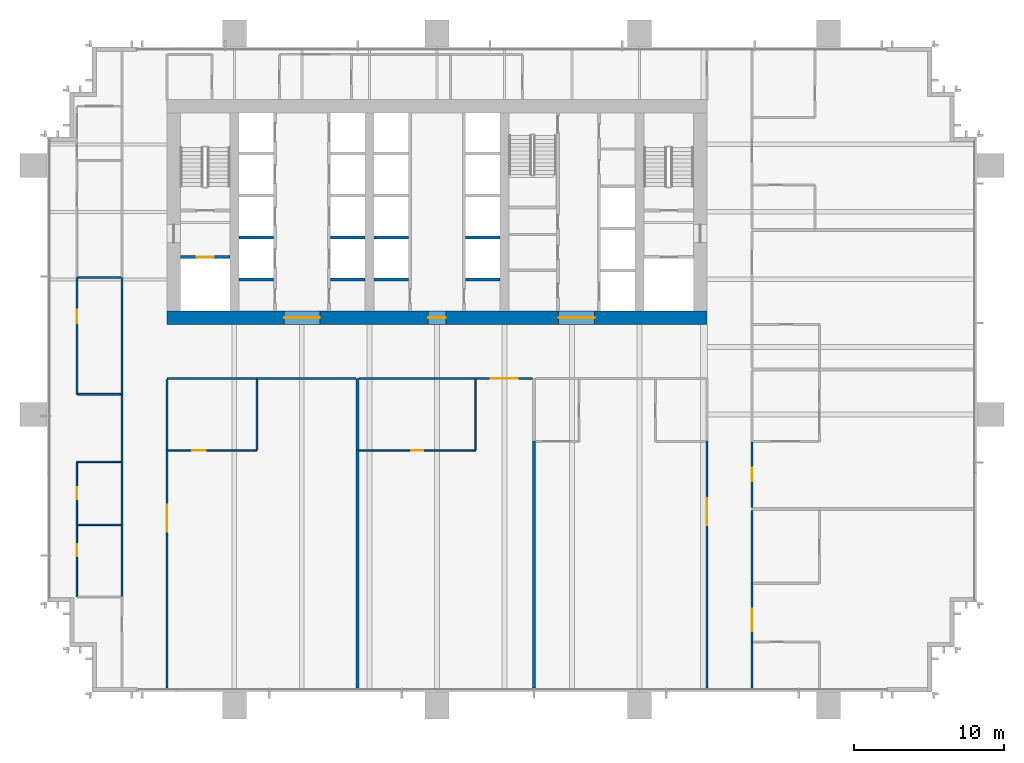
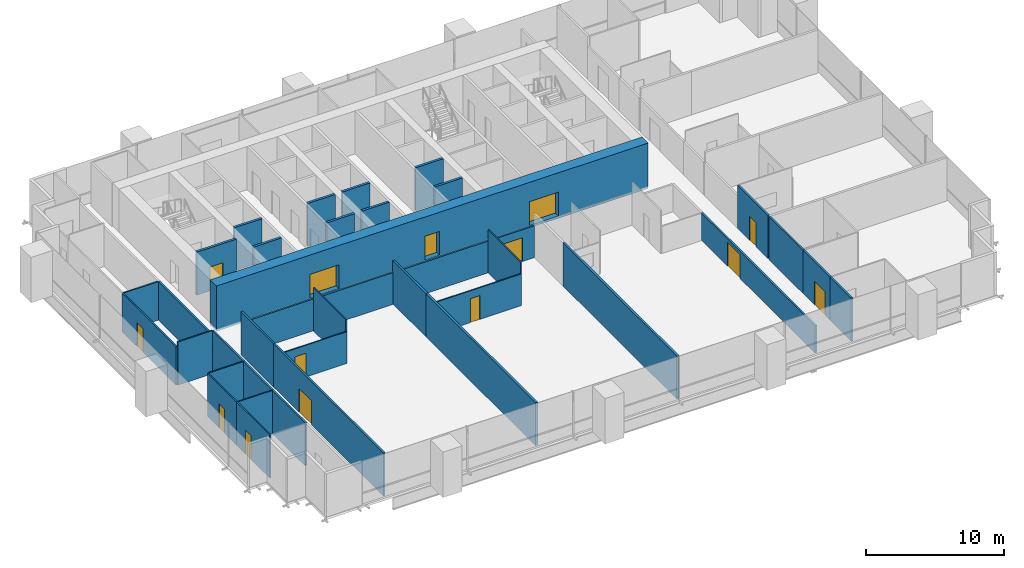
# One storey, part 12 of 17: 39 walls, 14 doors, 14 openings.
"""IFC4 building model written with IfcOpenShell, lengths in metres."""

from ifc_helpers import new_model, si_unit, direction, frame, frame_2d, origin, place, context, subcontext, project, spatial, rectangle, extrude, material, layer, layer_set, type_object, element, fill, save


model = new_model("IFC4")

# Units and contexts
model_context = context("Model", 3, precision=1e-05, world=origin(), true_north=direction((0.0, 1.0)))
body_context = subcontext(model_context, "Body", "Model", "MODEL_VIEW")
ifc_project = project(units=[si_unit("LENGTHUNIT", "METRE"), si_unit("AREAUNIT", "SQUARE_METRE"), si_unit("VOLUMEUNIT", "CUBIC_METRE"), si_unit("PLANEANGLEUNIT", "RADIAN"), si_unit("MASSUNIT", "GRAM", prefix="KILO")], contexts=[model_context])

# Site, building, storey
site_placement = place(None, origin())
site = spatial("IfcSite", under=ifc_project, at=site_placement, CompositionType="ELEMENT")
building_placement = place(site_placement, origin())
building = spatial("IfcBuilding", under=site, at=building_placement, Name="Rattan Terrace Tower", CompositionType="ELEMENT")
storey_placement = place(building_placement, frame((0.0, 0.0, 107.699951171875)))
storey = spatial("IfcBuildingStorey", under=building, at=storey_placement, Name="L24", CompositionType="ELEMENT", Elevation=107.699951171875)

# Wall, opening, door
ifc_material_1 = material(Name="Gypsum board partition")
ifc_layer_1 = layer(ifc_material_1, 0.199951171875)
ifc_layer_set_1 = layer_set([ifc_layer_1], Name="Core partition 200")
wall_type_1 = type_object("IfcWallType", Name="Core partition 200", PredefinedType="PARTITIONING", material=ifc_layer_set_1)
wall_1_placement = place(storey_placement, frame((-17.10009765625, -3.0, 0.0), z_axis=(0.0, 0.0, 1.0), x_axis=(1.0, 0.0, 0.0)))
wall_1 = element("IfcWall", 1, at=wall_1_placement, inside=storey, type_object=wall_type_1, Name="Fire-fighting lobby wall", PredefinedType="PARTITIONING", context=body_context, shape_type="SweptSolid", body=[
    extrude(rectangle(XDim=3.300048828125, YDim=0.199951171875, at=frame_2d((1.64990234375, 0.0))), origin(), (0.0, 0.0, 1.0), 3.800048828125),
])
opening_1_placement = place(wall_1_placement, frame((1.10009765625, 0.0, 0.0)))
opening_1 = element("IfcOpeningElement", 2, at=opening_1_placement, cuts=wall_1, Name="Opening L24-LD-FF1", PredefinedType="OPENING", context=body_context, shape_type="SweptSolid", body=[
    extrude(rectangle(XDim=1.10009765625, YDim=2.10009765625, at=frame_2d((0.550048828125, 1.050048828125))), frame((0.0, 0.110595703125, 0.0), z_axis=(0.0, -1.0, 0.0), x_axis=(1.0, 0.0, 0.0)), (0.0, 0.0, 1.0), 0.220947265625),
])
ifc_material_2 = material(Name="Brushed stainless landing door panel")
door_type_1 = type_object("IfcDoorType", Name="Core lift landing door 1100", OperationType="DOUBLE_DOOR_SLIDING", PredefinedType="DOOR", material=ifc_material_2)
door_1_placement = place(opening_1_placement, origin())
door_1 = element("IfcDoor", 3, at=door_1_placement, inside=storey, type_object=door_type_1, Name="Door L24-LD-FF1", OperationType="DOUBLE_DOOR_SLIDING", OverallHeight=2.10009765625, OverallWidth=1.10009765625, PredefinedType="DOOR", context=body_context, shape_type="SweptSolid", body=[
    extrude(rectangle(XDim=1.10009765625, YDim=2.10009765625, at=frame_2d((0.550048828125, 1.050048828125))), frame((0.0, 0.02490234375, 0.0), z_axis=(0.0, -1.0, 0.0), x_axis=(1.0, 0.0, 0.0)), (0.0, 0.0, 1.0), 0.050048828125),
])
fill(opening_1, door_1)

# Wall, openings, doors
ifc_material_3 = material(Name="Concrete C70/85", Category="concrete")
ifc_layer_2 = layer(ifc_material_3, 0.89990234375)
ifc_layer_set_2 = layer_set([ifc_layer_2], Name="Core ring wall 900 C70/85")
wall_type_2 = type_object("IfcWallType", Name="Core ring wall 900 C70/85", PredefinedType="SHEAR", material=ifc_layer_set_2)
wall_2_placement = place(storey_placement, frame((-18.0, -7.050048828125, -0.199951171875), z_axis=(0.0, 0.0, 1.0), x_axis=(1.0, 0.0, 0.0)))
wall_2 = element("IfcWall", 4, at=wall_2_placement, inside=storey, type_object=wall_type_2, Name="Rear core wall south", PredefinedType="SHEAR", context=body_context, shape_type="SweptSolid", body=[
    extrude(rectangle(XDim=36.0, YDim=0.89990234375, at=frame_2d((18.0, 0.0))), origin(), (0.0, 0.0, 1.0), 4.0),
])
opening_2_placement = place(wall_2_placement, frame((7.800048828125, 0.0, 0.199951171875)))
opening_2 = element("IfcOpeningElement", 5, at=opening_2_placement, cuts=wall_2, Name="Opening L24-D007", PredefinedType="OPENING", context=body_context, shape_type="SweptSolid", body=[
    extrude(rectangle(XDim=2.39990234375, YDim=2.10009765625, at=frame_2d((1.199951171875, 1.050048828125))), frame((0.0, 0.46044921875, 0.0), z_axis=(0.0, -1.0, 0.0), x_axis=(1.0, 0.0, 0.0)), (0.0, 0.0, 1.0), 0.9208984375),
])
opening_3_placement = place(wall_2_placement, frame((17.39990234375, 0.0, 0.199951171875)))
opening_3 = element("IfcOpeningElement", 6, at=opening_3_placement, cuts=wall_2, Name="Opening L24-D010", PredefinedType="OPENING", context=body_context, shape_type="SweptSolid", body=[
    extrude(rectangle(XDim=1.199951171875, YDim=2.10009765625, at=frame_2d((0.60009765625, 1.050048828125))), frame((0.0, 0.46044921875, 0.0), z_axis=(0.0, -1.0, 0.0), x_axis=(1.0, 0.0, 0.0)), (0.0, 0.0, 1.0), 0.9208984375),
])
opening_4_placement = place(wall_2_placement, frame((26.10009765625, 0.0, 0.199951171875)))
opening_4 = element("IfcOpeningElement", 7, at=opening_4_placement, cuts=wall_2, Name="Opening L24-D015", PredefinedType="OPENING", context=body_context, shape_type="SweptSolid", body=[
    extrude(rectangle(XDim=2.39990234375, YDim=2.10009765625, at=frame_2d((1.199951171875, 1.050048828125))), frame((0.0, 0.46044921875, 0.0), z_axis=(0.0, -1.0, 0.0), x_axis=(1.0, 0.0, 0.0)), (0.0, 0.0, 1.0), 0.9208984375),
])
ifc_material_4 = material(Name="Hollow-metal fire door leaf")
door_type_2 = type_object("IfcDoorType", Name="Core lift lobby door 2400", OperationType="NOTDEFINED", PredefinedType="DOOR", material=ifc_material_4)
door_2_placement = place(opening_2_placement, origin())
door_2 = element("IfcDoor", 8, at=door_2_placement, inside=storey, type_object=door_type_2, Name="Door L24-D007", OperationType="DOUBLE_DOOR_DOUBLE_SWING", OverallHeight=2.10009765625, OverallWidth=2.39990234375, PredefinedType="DOOR", context=body_context, shape_type="SweptSolid", body=[
    extrude(rectangle(XDim=2.39990234375, YDim=2.10009765625, at=frame_2d((1.199951171875, 1.050048828125))), frame((0.0, 0.02490234375, 0.0), z_axis=(0.0, -1.0, 0.0), x_axis=(1.0, 0.0, 0.0)), (0.0, 0.0, 1.0), 0.050048828125),
])
fill(opening_2, door_2)
door_3_placement = place(opening_4_placement, origin())
door_3 = element("IfcDoor", 9, at=door_3_placement, inside=storey, type_object=door_type_2, Name="Door L24-D015", OperationType="DOUBLE_DOOR_DOUBLE_SWING", OverallHeight=2.10009765625, OverallWidth=2.39990234375, PredefinedType="DOOR", context=body_context, shape_type="SweptSolid", body=[
    extrude(rectangle(XDim=2.39990234375, YDim=2.10009765625, at=frame_2d((1.199951171875, 1.050048828125))), frame((0.0, 0.02490234375, 0.0), z_axis=(0.0, -1.0, 0.0), x_axis=(1.0, 0.0, 0.0)), (0.0, 0.0, 1.0), 0.050048828125),
])
fill(opening_4, door_3)
ifc_material_5 = material(Name="Hollow-metal fire door leaf")
door_type_3 = type_object("IfcDoorType", Name="Core riser door 1200", OperationType="NOTDEFINED", PredefinedType="DOOR", material=ifc_material_5)
door_4_placement = place(opening_3_placement, origin())
door_4 = element("IfcDoor", 10, at=door_4_placement, inside=storey, type_object=door_type_3, Name="Door L24-D010", OperationType="SINGLE_SWING_RIGHT", OverallHeight=2.10009765625, OverallWidth=1.199951171875, PredefinedType="DOOR", context=body_context, shape_type="SweptSolid", body=[
    extrude(rectangle(XDim=1.199951171875, YDim=2.10009765625, at=frame_2d((0.60009765625, 1.050048828125))), frame((0.0, 0.02490234375, 0.0), z_axis=(0.0, -1.0, 0.0), x_axis=(1.0, 0.0, 0.0)), (0.0, 0.0, 1.0), 0.050048828125),
])
fill(opening_3, door_4)

# Walls
ifc_material_6 = material(Name="Double steel stud acoustic partition, gypsum board, mineral wool, fire rated", Category="steel")
ifc_layer_3 = layer(ifc_material_6, 0.179931640625)
ifc_layer_set_3 = layer_set([ifc_layer_3], Name="Floors Acoustic Party Wall 180")
wall_type_3 = type_object("IfcWallType", Name="Floors Acoustic Party Wall 180", PredefinedType="PARTITIONING", material=ifc_layer_set_3)
wall_3_placement = place(storey_placement, frame((-5.2939453125, -15.8798828125, 0.0), z_axis=(0.0, 0.0, 1.0), x_axis=(0.0, -1.0, 0.0)))
element("IfcWall", 11, at=wall_3_placement, inside=storey, type_object=wall_type_3, Name="pt-L24-073", PredefinedType="PARTITIONING", context=body_context, shape_type="SweptSolid", body=[
    extrude(rectangle(XDim=15.860107421875, YDim=0.179931640625, at=frame_2d((7.93017578125, 0.0))), origin(), (0.0, 0.0, 1.0), 3.800048828125),
])
wall_4_placement = place(storey_placement, frame((-5.2939453125, -11.10009765625, 0.0), z_axis=(0.0, 0.0, 1.0), x_axis=(0.0, -1.0, 0.0)))
element("IfcWall", 12, at=wall_4_placement, inside=storey, type_object=wall_type_3, Name="pt-L24-074", PredefinedType="PARTITIONING", context=body_context, shape_type="SweptSolid", body=[
    extrude(rectangle(XDim=4.77978515625, YDim=0.179931640625, at=frame_2d((2.389892578125, 0.0))), origin(), (0.0, 0.0, 1.0), 3.800048828125),
])
wall_5_placement = place(storey_placement, frame((6.470947265625, -15.280029296875, 0.0), z_axis=(0.0, 0.0, 1.0), x_axis=(0.0, -1.0, 0.0)))
element("IfcWall", 13, at=wall_5_placement, inside=storey, type_object=wall_type_3, Name="pt-L24-077", PredefinedType="PARTITIONING", context=body_context, shape_type="SweptSolid", body=[
    extrude(rectangle(XDim=16.4599609375, YDim=0.179931640625, at=frame_2d((8.22998046875, 0.0))), origin(), (0.0, 0.0, 1.0), 3.800048828125),
])

# Wall, opening, door
ifc_material_7 = material(Name="Gypsum board partition on steel studs", Category="steel")
ifc_layer_4 = layer(ifc_material_7, 0.10009765625)
ifc_layer_set_4 = layer_set([ifc_layer_4], Name="Floors Partition 100")
wall_type_4 = type_object("IfcWallType", Name="Floors Partition 100", PredefinedType="PARTITIONING", material=ifc_layer_set_4)
wall_6_placement = place(storey_placement, frame((-24.0, -20.840087890625, 0.0), z_axis=(0.0, 0.0, 1.0), x_axis=(0.0, -1.0, 0.0)))
wall_6 = element("IfcWall", 14, at=wall_6_placement, inside=storey, type_object=wall_type_4, Name="pt-L24-032", PredefinedType="PARTITIONING", context=body_context, shape_type="SweptSolid", body=[
    extrude(rectangle(XDim=4.81982421875, YDim=0.10009765625, at=frame_2d((2.409912109375, 0.0))), origin(), (0.0, 0.0, 1.0), 3.800048828125),
])
opening_5_placement = place(wall_6_placement, frame((1.305908203125, 0.0, 0.0)))
opening_5 = element("IfcOpeningElement", 15, at=opening_5_placement, cuts=wall_6, Name="Opening L24-D101", PredefinedType="OPENING", context=body_context, shape_type="SweptSolid", body=[
    extrude(rectangle(XDim=0.800048828125, YDim=2.10009765625, at=frame_2d((0.39990234375, 1.050048828125))), frame((0.0, 0.060546875, 0.0), z_axis=(0.0, -1.0, 0.0), x_axis=(1.0, 0.0, 0.0)), (0.0, 0.0, 1.0), 0.12109375),
])
ifc_material_8 = material(Name="Solid core timber door, painted", Category="wood")
door_type_4 = type_object("IfcDoorType", Name="Floors Store Door 800x2100", OperationType="NOTDEFINED", PredefinedType="DOOR", material=ifc_material_8)
door_5_placement = place(opening_5_placement, origin())
door_5 = element("IfcDoor", 16, at=door_5_placement, inside=storey, type_object=door_type_4, Name="d-L24-101", OperationType="SINGLE_SWING_LEFT", OverallHeight=2.10009765625, OverallWidth=0.800048828125, PredefinedType="DOOR", context=body_context, shape_type="SweptSolid", body=[
    extrude(rectangle(XDim=0.800048828125, YDim=2.10009765625, at=frame_2d((0.39990234375, 1.050048828125))), frame((0.0, 0.02490234375, 0.0), z_axis=(0.0, -1.0, 0.0), x_axis=(1.0, 0.0, 0.0)), (0.0, 0.0, 1.0), 0.050048828125),
])
fill(opening_5, door_5)

wall_7_placement = place(storey_placement, frame((-24.0, -16.659912109375, 0.0), z_axis=(0.0, 0.0, 1.0), x_axis=(0.0, -1.0, 0.0)))
wall_7 = element("IfcWall", 17, at=wall_7_placement, inside=storey, type_object=wall_type_4, Name="pt-L24-034", PredefinedType="PARTITIONING", context=body_context, shape_type="SweptSolid", body=[
    extrude(rectangle(XDim=4.18017578125, YDim=0.10009765625, at=frame_2d((2.090087890625, 0.0))), origin(), (0.0, 0.0, 1.0), 3.800048828125),
])
opening_6_placement = place(wall_7_placement, frame((1.68994140625, 0.0, 0.0)))
opening_6 = element("IfcOpeningElement", 18, at=opening_6_placement, cuts=wall_7, Name="Opening L24-D102", PredefinedType="OPENING", context=body_context, shape_type="SweptSolid", body=[
    extrude(rectangle(XDim=0.800048828125, YDim=2.10009765625, at=frame_2d((0.39990234375, 1.050048828125))), frame((0.0, 0.060546875, 0.0), z_axis=(0.0, -1.0, 0.0), x_axis=(1.0, 0.0, 0.0)), (0.0, 0.0, 1.0), 0.12109375),
])
door_6_placement = place(opening_6_placement, origin())
door_6 = element("IfcDoor", 19, at=door_6_placement, inside=storey, type_object=door_type_4, Name="d-L24-102", OperationType="SINGLE_SWING_LEFT", OverallHeight=2.10009765625, OverallWidth=0.800048828125, PredefinedType="DOOR", context=body_context, shape_type="SweptSolid", body=[
    extrude(rectangle(XDim=0.800048828125, YDim=2.10009765625, at=frame_2d((0.39990234375, 1.050048828125))), frame((0.0, 0.02490234375, 0.0), z_axis=(0.0, -1.0, 0.0), x_axis=(1.0, 0.0, 0.0)), (0.0, 0.0, 1.0), 0.050048828125),
])
fill(opening_6, door_6)

# Walls
for number, where, z_axis, x_axis, name in (
    (20, (-21.074951171875, -16.659912109375, 0.0), (0.0, 0.0, 1.0), (-1.0, 0.0, 0.0), "pt-L24-035"),
    (21, (-23.949951171875, -20.860107421875, 0.0), (0.0, 0.0, 1.0), (1.0, 0.0, 0.0), "pt-L24-041"),
):
    element("IfcWall", number, at=place(storey_placement, frame(where, z_axis=z_axis, x_axis=x_axis)), inside=storey, type_object=wall_type_4, Name=name, PredefinedType="PARTITIONING", context=body_context, shape_type="SweptSolid", body=[
        extrude(rectangle(XDim=2.875, YDim=0.10009765625, at=frame_2d((1.4375, 0.0))), origin(), (0.0, 0.0, 1.0), 3.800048828125),
    ])

# Wall, opening, door
wall_8_placement = place(storey_placement, frame((-17.925048828125, -15.89990234375, 0.0), z_axis=(0.0, 0.0, 1.0), x_axis=(1.0, 0.0, 0.0)))
wall_8 = element("IfcWall", 22, at=wall_8_placement, inside=storey, type_object=wall_type_4, Name="pt-L24-071", PredefinedType="PARTITIONING", context=body_context, shape_type="SweptSolid", body=[
    extrude(rectangle(XDim=5.925048828125, YDim=0.10009765625, at=frame_2d((2.96240234375, 0.0))), origin(), (0.0, 0.0, 1.0), 2.800048828125),
])
opening_7_placement = place(wall_8_placement, frame((1.60791015625, 0.0, 0.0)))
opening_7 = element("IfcOpeningElement", 23, at=opening_7_placement, cuts=wall_8, Name="Opening L24-D122", PredefinedType="OPENING", context=body_context, shape_type="SweptSolid", body=[
    extrude(rectangle(XDim=0.89990234375, YDim=2.10009765625, at=frame_2d((0.449951171875, 1.050048828125))), frame((0.0, 0.060546875, 0.0), z_axis=(0.0, -1.0, 0.0), x_axis=(1.0, 0.0, 0.0)), (0.0, 0.0, 1.0), 0.12109375),
])
ifc_material_9 = material(Name="Solid core timber door, painted", Category="wood")
door_type_5 = type_object("IfcDoorType", Name="Floors Door 900x2100", OperationType="NOTDEFINED", PredefinedType="DOOR", material=ifc_material_9)
door_7_placement = place(opening_7_placement, origin())
door_7 = element("IfcDoor", 24, at=door_7_placement, inside=storey, type_object=door_type_5, Name="d-L24-122", OperationType="SINGLE_SWING_LEFT", OverallHeight=2.10009765625, OverallWidth=0.89990234375, PredefinedType="DOOR", context=body_context, shape_type="SweptSolid", body=[
    extrude(rectangle(XDim=0.89990234375, YDim=2.10009765625, at=frame_2d((0.449951171875, 1.050048828125))), frame((0.0, 0.02490234375, 0.0), z_axis=(0.0, -1.0, 0.0), x_axis=(1.0, 0.0, 0.0)), (0.0, 0.0, 1.0), 0.050048828125),
])
fill(opening_7, door_7)

# Wall
wall_9_placement = place(storey_placement, frame((-12.0, -15.85009765625, 0.0), z_axis=(0.0, 0.0, 1.0), x_axis=(0.0, 1.0, 0.0)))
element("IfcWall", 25, at=wall_9_placement, inside=storey, type_object=wall_type_4, Name="pt-L24-072", PredefinedType="PARTITIONING", context=body_context, shape_type="SweptSolid", body=[
    extrude(rectangle(XDim=4.675048828125, YDim=0.10009765625, at=frame_2d((2.33740234375, 0.0))), origin(), (0.0, 0.0, 1.0), 3.800048828125),
])

# Wall, opening, door
wall_10_placement = place(storey_placement, frame((-5.2041015625, -15.89990234375, 0.0), z_axis=(0.0, 0.0, 1.0), x_axis=(1.0, 0.0, 0.0)))
wall_10 = element("IfcWall", 26, at=wall_10_placement, inside=storey, type_object=wall_type_4, Name="pt-L24-075", PredefinedType="PARTITIONING", context=body_context, shape_type="SweptSolid", body=[
    extrude(rectangle(XDim=7.775146484375, YDim=0.10009765625, at=frame_2d((3.8876953125, 0.0))), origin(), (0.0, 0.0, 1.0), 2.800048828125),
])
opening_8_placement = place(wall_10_placement, frame((3.488037109375, 0.0, 0.0)))
opening_8 = element("IfcOpeningElement", 27, at=opening_8_placement, cuts=wall_10, Name="Opening L24-D124", PredefinedType="OPENING", context=body_context, shape_type="SweptSolid", body=[
    extrude(rectangle(XDim=0.800048828125, YDim=2.10009765625, at=frame_2d((0.39990234375, 1.050048828125))), frame((0.0, 0.060546875, 0.0), z_axis=(0.0, -1.0, 0.0), x_axis=(1.0, 0.0, 0.0)), (0.0, 0.0, 1.0), 0.12109375),
])
door_8_placement = place(opening_8_placement, origin())
door_8 = element("IfcDoor", 28, at=door_8_placement, inside=storey, type_object=door_type_4, Name="d-L24-124", OperationType="SINGLE_SWING_LEFT", OverallHeight=2.10009765625, OverallWidth=0.800048828125, PredefinedType="DOOR", context=body_context, shape_type="SweptSolid", body=[
    extrude(rectangle(XDim=0.800048828125, YDim=2.10009765625, at=frame_2d((0.39990234375, 1.050048828125))), frame((0.0, 0.02490234375, 0.0), z_axis=(0.0, -1.0, 0.0), x_axis=(1.0, 0.0, 0.0)), (0.0, 0.0, 1.0), 0.050048828125),
])
fill(opening_8, door_8)

# Walls
wall_11_placement = place(storey_placement, frame((2.571044921875, -15.85009765625, 0.0), z_axis=(0.0, 0.0, 1.0), x_axis=(0.0, 1.0, 0.0)))
element("IfcWall", 29, at=wall_11_placement, inside=storey, type_object=wall_type_4, Name="pt-L24-076", PredefinedType="PARTITIONING", context=body_context, shape_type="SweptSolid", body=[
    extrude(rectangle(XDim=4.675048828125, YDim=0.10009765625, at=frame_2d((2.33740234375, 0.0))), origin(), (0.0, 0.0, 1.0), 3.800048828125),
])
ifc_material_10 = material(Name="Gypsum board partition on steel studs, fire rated", Category="steel")
ifc_layer_5 = layer(ifc_material_10, 0.14990234375)
ifc_layer_set_5 = layer_set([ifc_layer_5], Name="Floors Tenancy Wall 150")
wall_type_5 = type_object("IfcWallType", Name="Floors Tenancy Wall 150", PredefinedType="PARTITIONING", material=ifc_layer_set_5)
wall_12_placement = place(storey_placement, frame((-21.0, -16.679931640625, 0.0), z_axis=(0.0, 0.0, 1.0), x_axis=(0.0, 1.0, 0.0)))
element("IfcWall", 30, at=wall_12_placement, inside=storey, type_object=wall_type_5, Name="pt-L24-003", PredefinedType="PARTITIONING", context=body_context, shape_type="SweptSolid", body=[
    extrude(rectangle(XDim=4.5, YDim=0.14990234375, at=frame_2d((2.25, 0.0))), origin(), (0.0, 0.0, 1.0), 3.800048828125),
])
wall_13_placement = place(storey_placement, frame((-21.0, -25.639892578125, 0.0), z_axis=(0.0, 0.0, 1.0), x_axis=(0.0, 1.0, 0.0)))
element("IfcWall", 31, at=wall_13_placement, inside=storey, type_object=wall_type_5, Name="pt-L24-004", PredefinedType="PARTITIONING", context=body_context, shape_type="SweptSolid", body=[
    extrude(rectangle(XDim=4.7998046875, YDim=0.14990234375, at=frame_2d((2.39990234375, 0.0))), origin(), (0.0, 0.0, 1.0), 3.800048828125),
])
wall_14_placement = place(storey_placement, frame((-21.0, -20.840087890625, 0.0), z_axis=(0.0, 0.0, 1.0), x_axis=(0.0, 1.0, 0.0)))
element("IfcWall", 32, at=wall_14_placement, inside=storey, type_object=wall_type_5, Name="pt-L24-005", PredefinedType="PARTITIONING", context=body_context, shape_type="SweptSolid", body=[
    extrude(rectangle(XDim=4.16015625, YDim=0.14990234375, at=frame_2d((2.080078125, 0.0))), origin(), (0.0, 0.0, 1.0), 3.800048828125),
])
wall_15_placement = place(storey_placement, frame((-21.0, -12.179931640625, 0.0), z_axis=(0.0, 0.0, 1.0), x_axis=(0.0, 1.0, 0.0)))
element("IfcWall", 33, at=wall_15_placement, inside=storey, type_object=wall_type_5, Name="pt-L24-006", PredefinedType="PARTITIONING", context=body_context, shape_type="SweptSolid", body=[
    extrude(rectangle(XDim=7.800048828125, YDim=0.14990234375, at=frame_2d((3.89990234375, 0.0))), origin(), (0.0, 0.0, 1.0), 3.400146484375),
])

# Wall, opening, door
wall_16_placement = place(storey_placement, frame((21.0, -24.780029296875, 0.0), z_axis=(0.0, 0.0, 1.0), x_axis=(0.0, -1.0, 0.0)))
wall_16 = element("IfcWall", 34, at=wall_16_placement, inside=storey, type_object=wall_type_5, Name="pt-L24-009", PredefinedType="PARTITIONING", context=body_context, shape_type="SweptSolid", body=[
    extrude(rectangle(XDim=3.89990234375, YDim=0.14990234375, at=frame_2d((1.949951171875, 0.0))), origin(), (0.0, 0.0, 1.0), 3.800048828125),
])
opening_9_placement = place(wall_16_placement, frame((1.675048828125, 0.0, 0.0)))
opening_9 = element("IfcOpeningElement", 35, at=opening_9_placement, cuts=wall_16, Name="Opening L24-D106", PredefinedType="OPENING", context=body_context, shape_type="SweptSolid", body=[
    extrude(rectangle(XDim=1.5, YDim=2.10009765625, at=frame_2d((0.75, 1.050048828125))), frame((0.0, 0.08544921875, 0.0), z_axis=(0.0, -1.0, 0.0), x_axis=(1.0, 0.0, 0.0)), (0.0, 0.0, 1.0), 0.1708984375),
])
ifc_material_11 = material(Name="Steel fire door set", Category="steel")
door_type_6 = type_object("IfcDoorType", Name="Floors Unit Door Pair FD30S 1500x2100", OperationType="NOTDEFINED", PredefinedType="DOOR", material=ifc_material_11)
door_9_placement = place(opening_9_placement, origin())
door_9 = element("IfcDoor", 36, at=door_9_placement, inside=storey, type_object=door_type_6, Name="d-L24-106", OperationType="DOUBLE_DOOR_SINGLE_SWING", OverallHeight=2.10009765625, OverallWidth=1.5, PredefinedType="DOOR", context=body_context, shape_type="SweptSolid", body=[
    extrude(rectangle(XDim=1.5, YDim=2.10009765625, at=frame_2d((0.75, 1.050048828125))), frame((0.0, 0.02490234375, 0.0), z_axis=(0.0, -1.0, 0.0), x_axis=(1.0, 0.0, 0.0)), (0.0, 0.0, 1.0), 0.050048828125),
])
fill(opening_9, door_9)

# Walls
wall_17_placement = place(storey_placement, frame((21.0, -28.679931640625, 0.0), z_axis=(0.0, 0.0, 1.0), x_axis=(0.0, -1.0, 0.0)))
element("IfcWall", 37, at=wall_17_placement, inside=storey, type_object=wall_type_5, Name="pt-L24-010", PredefinedType="PARTITIONING", context=body_context, shape_type="SweptSolid", body=[
    extrude(rectangle(XDim=3.06005859375, YDim=0.14990234375, at=frame_2d((1.530029296875, 0.0))), origin(), (0.0, 0.0, 1.0), 3.800048828125),
])
wall_18_placement = place(storey_placement, frame((21.0, -19.889892578125, 0.0), z_axis=(0.0, 0.0, 1.0), x_axis=(0.0, -1.0, 0.0)))
element("IfcWall", 38, at=wall_18_placement, inside=storey, type_object=wall_type_5, Name="pt-L24-011", PredefinedType="PARTITIONING", context=body_context, shape_type="SweptSolid", body=[
    extrude(rectangle(XDim=4.89013671875, YDim=0.14990234375, at=frame_2d((2.445068359375, 0.0))), origin(), (0.0, 0.0, 1.0), 3.800048828125),
])

# Wall, opening, door
wall_19_placement = place(storey_placement, frame((21.0, -15.320068359375, 0.0), z_axis=(0.0, 0.0, 1.0), x_axis=(0.0, -1.0, 0.0)))
wall_19 = element("IfcWall", 39, at=wall_19_placement, inside=storey, type_object=wall_type_5, Name="pt-L24-012", PredefinedType="PARTITIONING", context=body_context, shape_type="SweptSolid", body=[
    extrude(rectangle(XDim=4.389892578125, YDim=0.14990234375, at=frame_2d((2.19482421875, 0.0))), origin(), (0.0, 0.0, 1.0), 3.800048828125),
])
opening_10_placement = place(wall_19_placement, frame((1.7451171875, 0.0, 0.0)))
opening_10 = element("IfcOpeningElement", 40, at=opening_10_placement, cuts=wall_19, Name="Opening L24-D109", PredefinedType="OPENING", context=body_context, shape_type="SweptSolid", body=[
    extrude(rectangle(XDim=0.89990234375, YDim=2.10009765625, at=frame_2d((0.449951171875, 1.050048828125))), frame((0.0, 0.08544921875, 0.0), z_axis=(0.0, -1.0, 0.0), x_axis=(1.0, 0.0, 0.0)), (0.0, 0.0, 1.0), 0.1708984375),
])
ifc_material_12 = material(Name="Steel fire door set", Category="steel")
door_type_7 = type_object("IfcDoorType", Name="Floors Fire Door FD30S 900x2100", OperationType="NOTDEFINED", PredefinedType="DOOR", material=ifc_material_12)
door_10_placement = place(opening_10_placement, origin())
door_10 = element("IfcDoor", 41, at=door_10_placement, inside=storey, type_object=door_type_7, Name="d-L24-109", OperationType="SINGLE_SWING_RIGHT", OverallHeight=2.10009765625, OverallWidth=0.89990234375, PredefinedType="DOOR", context=body_context, shape_type="SweptSolid", body=[
    extrude(rectangle(XDim=0.89990234375, YDim=2.10009765625, at=frame_2d((0.449951171875, 1.050048828125))), frame((0.0, 0.02490234375, 0.0), z_axis=(0.0, -1.0, 0.0), x_axis=(1.0, 0.0, 0.0)), (0.0, 0.0, 1.0), 0.050048828125),
])
fill(opening_10, door_10)

wall_20_placement = place(storey_placement, frame((-18.0, -15.8798828125, 0.0), z_axis=(0.0, 0.0, 1.0), x_axis=(0.0, -1.0, 0.0)))
wall_20 = element("IfcWall", 42, at=wall_20_placement, inside=storey, type_object=wall_type_5, Name="pt-L24-021", PredefinedType="PARTITIONING", context=body_context, shape_type="SweptSolid", body=[
    extrude(rectangle(XDim=15.860107421875, YDim=0.14990234375, at=frame_2d((7.93017578125, 0.0))), origin(), (0.0, 0.0, 1.0), 3.800048828125),
])
opening_11_placement = place(wall_20_placement, frame((3.639892578125, 0.0, 0.0)))
opening_11 = element("IfcOpeningElement", 43, at=opening_11_placement, cuts=wall_20, Name="Opening L24-D121", PredefinedType="OPENING", context=body_context, shape_type="SweptSolid", body=[
    extrude(rectangle(XDim=1.800048828125, YDim=2.10009765625, at=frame_2d((0.89990234375, 1.050048828125))), frame((0.0, 0.08544921875, 0.0), z_axis=(0.0, -1.0, 0.0), x_axis=(1.0, 0.0, 0.0)), (0.0, 0.0, 1.0), 0.1708984375),
])
ifc_material_13 = material(Name="Steel fire door set", Category="steel")
door_type_8 = type_object("IfcDoorType", Name="Floors Fire Door Pair FD30S 1800x2100", OperationType="NOTDEFINED", PredefinedType="DOOR", material=ifc_material_13)
door_11_placement = place(opening_11_placement, origin())
door_11 = element("IfcDoor", 44, at=door_11_placement, inside=storey, type_object=door_type_8, Name="d-L24-121", OperationType="DOUBLE_DOOR_SINGLE_SWING", OverallHeight=2.10009765625, OverallWidth=1.800048828125, PredefinedType="DOOR", context=body_context, shape_type="SweptSolid", body=[
    extrude(rectangle(XDim=1.800048828125, YDim=2.10009765625, at=frame_2d((0.89990234375, 1.050048828125))), frame((0.0, 0.02490234375, 0.0), z_axis=(0.0, -1.0, 0.0), x_axis=(1.0, 0.0, 0.0)), (0.0, 0.0, 1.0), 0.050048828125),
])
fill(opening_11, door_11)

# Walls
wall_21_placement = place(storey_placement, frame((-5.384033203125, -11.10009765625, 0.0), z_axis=(0.0, 0.0, 1.0), x_axis=(-1.0, 0.0, 0.0)))
element("IfcWall", 45, at=wall_21_placement, inside=storey, type_object=wall_type_5, Name="pt-L24-022", PredefinedType="PARTITIONING", context=body_context, shape_type="SweptSolid", body=[
    extrude(rectangle(XDim=6.635986328125, YDim=0.14990234375, at=frame_2d((3.31787109375, 0.0))), origin(), (0.0, 0.0, 1.0), 2.800048828125),
])
wall_22_placement = place(storey_placement, frame((-18.0, -11.175048828125, 0.0), z_axis=(0.0, 0.0, 1.0), x_axis=(0.0, -1.0, 0.0)))
element("IfcWall", 46, at=wall_22_placement, inside=storey, type_object=wall_type_5, Name="pt-L24-023", PredefinedType="PARTITIONING", context=body_context, shape_type="SweptSolid", body=[
    extrude(rectangle(XDim=4.704833984375, YDim=0.14990234375, at=frame_2d((2.3525390625, 0.0))), origin(), (0.0, 0.0, 1.0), 3.800048828125),
])
wall_23_placement = place(storey_placement, frame((-12.02001953125, -11.10009765625, 0.0), z_axis=(0.0, 0.0, 1.0), x_axis=(-1.0, 0.0, 0.0)))
element("IfcWall", 47, at=wall_23_placement, inside=storey, type_object=wall_type_5, Name="pt-L24-024", PredefinedType="PARTITIONING", context=body_context, shape_type="SweptSolid", body=[
    extrude(rectangle(XDim=5.97998046875, YDim=0.14990234375, at=frame_2d((2.989990234375, 0.0))), origin(), (0.0, 0.0, 1.0), 2.800048828125),
])

# Wall, opening, door
wall_24_placement = place(storey_placement, frame((6.381103515625, -11.09912109375, 0.0), z_axis=(0.0, 0.0, 1.0), x_axis=(-1.0, 0.0, 0.0)))
wall_24 = element("IfcWall", 48, at=wall_24_placement, inside=storey, type_object=wall_type_5, Name="pt-L24-025", PredefinedType="PARTITIONING", context=body_context, shape_type="SweptSolid", body=[
    extrude(rectangle(XDim=3.7900390625, YDim=0.14990234375, at=frame_2d((1.89501953125, 0.0))), origin(), (0.0, 0.0, 1.0), 2.800048828125),
])
opening_12_placement = place(wall_24_placement, frame((0.9951171875, 0.0, 0.0)))
opening_12 = element("IfcOpeningElement", 49, at=opening_12_placement, cuts=wall_24, Name="Opening L24-D123", PredefinedType="OPENING", context=body_context, shape_type="SweptSolid", body=[
    extrude(rectangle(XDim=1.800048828125, YDim=2.10009765625, at=frame_2d((0.89990234375, 1.050048828125))), frame((0.0, 0.08544921875, 0.0), z_axis=(0.0, -1.0, 0.0), x_axis=(1.0, 0.0, 0.0)), (0.0, 0.0, 1.0), 0.1708984375),
])
door_12_placement = place(opening_12_placement, origin())
door_12 = element("IfcDoor", 50, at=door_12_placement, inside=storey, type_object=door_type_8, Name="d-L24-123", OperationType="DOUBLE_DOOR_SINGLE_SWING", OverallHeight=2.10009765625, OverallWidth=1.800048828125, PredefinedType="DOOR", context=body_context, shape_type="SweptSolid", body=[
    extrude(rectangle(XDim=1.800048828125, YDim=2.10009765625, at=frame_2d((0.89990234375, 1.050048828125))), frame((0.0, 0.02490234375, 0.0), z_axis=(0.0, -1.0, 0.0), x_axis=(1.0, 0.0, 0.0)), (0.0, 0.0, 1.0), 0.050048828125),
])
fill(opening_12, door_12)

# Wall
wall_25_placement = place(storey_placement, frame((2.591064453125, -11.10009765625, 0.0), z_axis=(0.0, 0.0, 1.0), x_axis=(-1.0, 0.0, 0.0)))
element("IfcWall", 51, at=wall_25_placement, inside=storey, type_object=wall_type_5, Name="pt-L24-026", PredefinedType="PARTITIONING", context=body_context, shape_type="SweptSolid", body=[
    extrude(rectangle(XDim=7.795166015625, YDim=0.14990234375, at=frame_2d((3.8974609375, 0.0))), origin(), (0.0, 0.0, 1.0), 2.800048828125),
])

# Wall, opening, door
wall_26_placement = place(storey_placement, frame((18.0, -31.739990234375, 0.0), z_axis=(0.0, 0.0, 1.0), x_axis=(0.0, 1.0, 0.0)))
wall_26 = element("IfcWall", 52, at=wall_26_placement, inside=storey, type_object=wall_type_5, Name="pt-L24-028", PredefinedType="PARTITIONING", context=body_context, shape_type="SweptSolid", body=[
    extrude(rectangle(XDim=16.4599609375, YDim=0.14990234375, at=frame_2d((8.22998046875, 0.0))), origin(), (0.0, 0.0, 1.0), 2.400146484375),
])
opening_13_placement = place(wall_26_placement, frame((10.8701171875, 0.0, 0.0)))
opening_13 = element("IfcOpeningElement", 53, at=opening_13_placement, cuts=wall_26, Name="Opening L24-D125", PredefinedType="OPENING", context=body_context, shape_type="SweptSolid", body=[
    extrude(rectangle(XDim=1.800048828125, YDim=2.10009765625, at=frame_2d((0.89990234375, 1.050048828125))), frame((0.0, 0.08544921875, 0.0), z_axis=(0.0, -1.0, 0.0), x_axis=(1.0, 0.0, 0.0)), (0.0, 0.0, 1.0), 0.1708984375),
])
door_13_placement = place(opening_13_placement, origin())
door_13 = element("IfcDoor", 54, at=door_13_placement, inside=storey, type_object=door_type_8, Name="d-L24-125", OperationType="DOUBLE_DOOR_SINGLE_SWING", OverallHeight=2.10009765625, OverallWidth=1.800048828125, PredefinedType="DOOR", context=body_context, shape_type="SweptSolid", body=[
    extrude(rectangle(XDim=1.800048828125, YDim=2.10009765625, at=frame_2d((0.89990234375, 1.050048828125))), frame((0.0, 0.02490234375, 0.0), z_axis=(0.0, -1.0, 0.0), x_axis=(1.0, 0.0, 0.0)), (0.0, 0.0, 1.0), 0.050048828125),
])
fill(opening_13, door_13)

ifc_material_14 = material(Name="Moisture resistant gypsum board partition on steel studs with service cavity", Category="steel")
ifc_layer_6 = layer(ifc_material_14, 0.1201171875)
ifc_layer_set_6 = layer_set([ifc_layer_6], Name="Floors Wet Wall 120")
wall_type_6 = type_object("IfcWallType", Name="Floors Wet Wall 120", PredefinedType="PARTITIONING", material=ifc_layer_set_6)
wall_27_placement = place(storey_placement, frame((-24.0, -4.340087890625, 0.0), z_axis=(0.0, 0.0, 1.0), x_axis=(0.0, -1.0, 0.0)))
wall_27 = element("IfcWall", 55, at=wall_27_placement, inside=storey, type_object=wall_type_6, Name="pt-L24-036", PredefinedType="PARTITIONING", context=body_context, shape_type="SweptSolid", body=[
    extrude(rectangle(XDim=7.81982421875, YDim=0.1201171875, at=frame_2d((3.909912109375, 0.0))), origin(), (0.0, 0.0, 1.0), 3.400146484375),
])
opening_14_placement = place(wall_27_placement, frame((2.176025390625, 0.0, 0.0)))
opening_14 = element("IfcOpeningElement", 56, at=opening_14_placement, cuts=wall_27, Name="Opening L24-D103", PredefinedType="OPENING", context=body_context, shape_type="SweptSolid", body=[
    extrude(rectangle(XDim=0.89990234375, YDim=2.10009765625, at=frame_2d((0.449951171875, 1.050048828125))), frame((0.0, 0.070556640625, 0.0), z_axis=(0.0, -1.0, 0.0), x_axis=(1.0, 0.0, 0.0)), (0.0, 0.0, 1.0), 0.14111328125),
])
door_14_placement = place(opening_14_placement, origin())
door_14 = element("IfcDoor", 57, at=door_14_placement, inside=storey, type_object=door_type_5, Name="d-L24-103", OperationType="SINGLE_SWING_LEFT", OverallHeight=2.10009765625, OverallWidth=0.89990234375, PredefinedType="DOOR", context=body_context, shape_type="SweptSolid", body=[
    extrude(rectangle(XDim=0.89990234375, YDim=2.10009765625, at=frame_2d((0.449951171875, 1.050048828125))), frame((0.0, 0.02490234375, 0.0), z_axis=(0.0, -1.0, 0.0), x_axis=(1.0, 0.0, 0.0)), (0.0, 0.0, 1.0), 0.050048828125),
])
fill(opening_14, door_14)

# Walls
wall_28_placement = place(storey_placement, frame((-23.93994140625, -12.159912109375, 0.0), z_axis=(0.0, 0.0, 1.0), x_axis=(1.0, 0.0, 0.0)))
element("IfcWall", 58, at=wall_28_placement, inside=storey, type_object=wall_type_6, Name="pt-L24-037", PredefinedType="PARTITIONING", context=body_context, shape_type="SweptSolid", body=[
    extrude(rectangle(XDim=2.864990234375, YDim=0.1201171875, at=frame_2d((1.4326171875, 0.0))), origin(), (0.0, 0.0, 1.0), 3.800048828125),
])
wall_29_placement = place(storey_placement, frame((-23.93994140625, -4.360107421875, 0.0), z_axis=(0.0, 0.0, 1.0), x_axis=(1.0, 0.0, 0.0)))
element("IfcWall", 59, at=wall_29_placement, inside=storey, type_object=wall_type_6, Name="pt-L24-042", PredefinedType="PARTITIONING", context=body_context, shape_type="SweptSolid", body=[
    extrude(rectangle(XDim=2.864990234375, YDim=0.1201171875, at=frame_2d((1.4326171875, 0.0))), origin(), (0.0, 0.0, 1.0), 3.400146484375),
])
ifc_material_15 = material(Name="Gypsum shaft wall system")
ifc_layer_7 = layer(ifc_material_15, 0.199951171875)
ifc_layer_set_7 = layer_set([ifc_layer_7], Name="Lift shaft wall 200")
wall_type_7 = type_object("IfcWallType", Name="Lift shaft wall 200", PredefinedType="PARTITIONING", material=ifc_layer_set_7)
for number, where, z_axis, x_axis, name in (
    (60, (-13.199951171875, -1.699951171875, 0.0), (0.0, 0.0, 1.0), (1.0, 0.0, 0.0), "Lift shaft wall"),
    (61, (-13.199951171875, -4.5, 0.0), (0.0, 0.0, 1.0), (1.0, 0.0, 0.0), "Lift shaft wall"),
    (62, (-7.10009765625, -1.699951171875, 0.0), (0.0, 0.0, 1.0), (1.0, 0.0, 0.0), "Lift shaft wall"),
    (63, (-7.10009765625, -4.5, 0.0), (0.0, 0.0, 1.0), (1.0, 0.0, 0.0), "Lift shaft wall"),
    (64, (-4.199951171875, -1.699951171875, 0.0), (0.0, 0.0, 1.0), (1.0, 0.0, 0.0), "Lift shaft wall"),
    (65, (-4.199951171875, -4.5, 0.0), (0.0, 0.0, 1.0), (1.0, 0.0, 0.0), "Lift shaft wall"),
    (66, (1.89990234375, -1.699951171875, 0.0), (0.0, 0.0, 1.0), (1.0, 0.0, 0.0), "Lift shaft wall"),
    (67, (1.89990234375, -4.5, 0.0), (0.0, 0.0, 1.0), (1.0, 0.0, 0.0), "Lift shaft wall"),
):
    element("IfcWall", number, at=place(storey_placement, frame(where, z_axis=z_axis, x_axis=x_axis)), inside=storey, type_object=wall_type_7, Name=name, PredefinedType="PARTITIONING", context=body_context, shape_type="SweptSolid", body=[
        extrude(rectangle(XDim=2.300048828125, YDim=0.199951171875, at=frame_2d((1.14990234375, 0.0))), origin(), (0.0, 0.0, 1.0), 3.800048828125),
    ])

save(model, "model.ifc")
